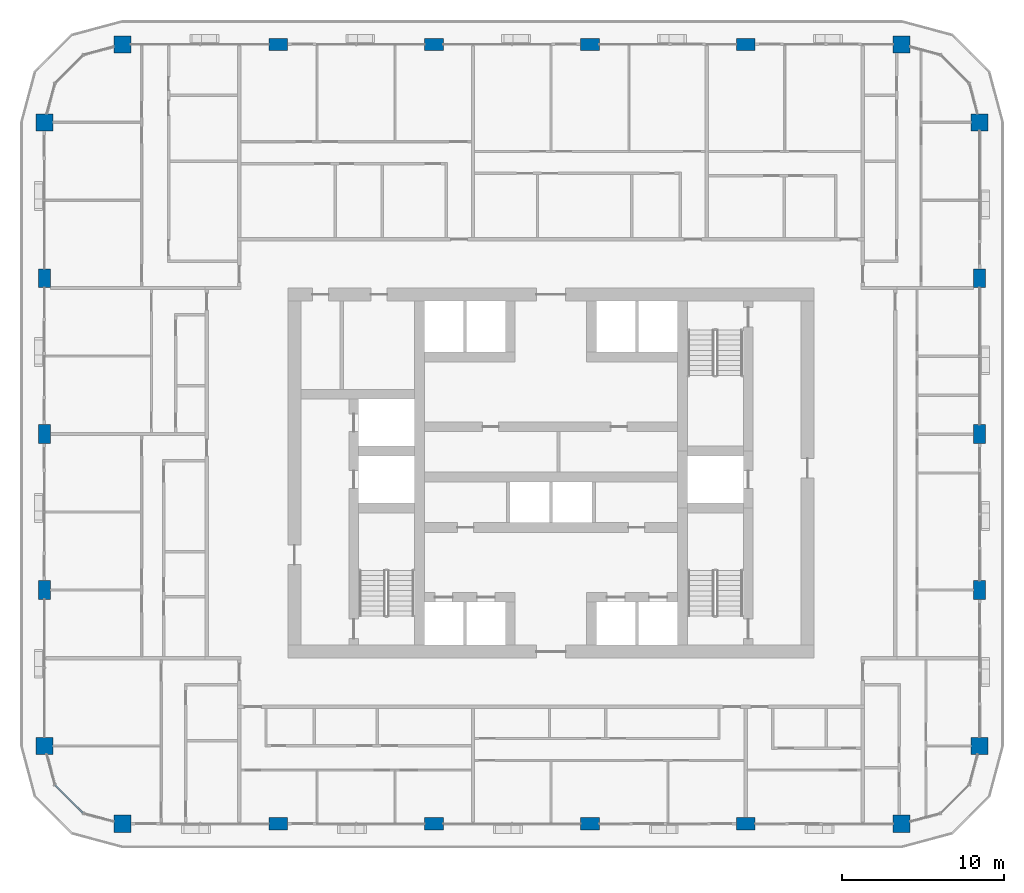
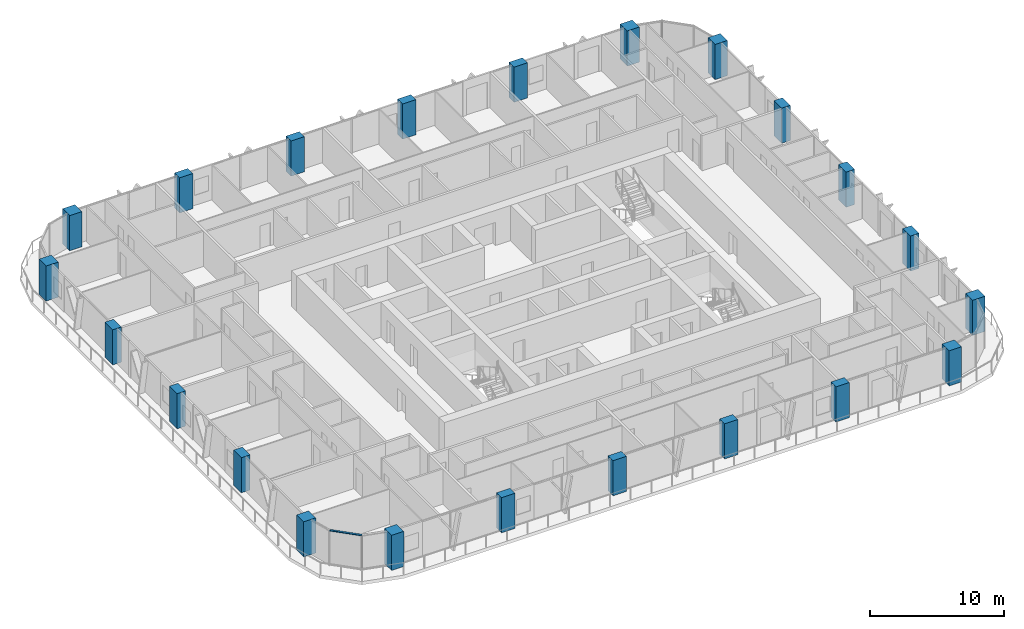
# One storey, part 1 of 22: 22 columns, 1 member, 1 element without a shape of its own.
"""IFC4 building model written with IfcOpenShell, lengths in metres."""

from ifc_helpers import new_model, si_unit, direction, frame, origin, origin_2d, place, context, subcontext, project, spatial, rectangle, extrude, material, layer, layer_set, material_profile, profile_set, type_object, element, aggregate, save


model = new_model("IFC4")

# Units and contexts
model_context = context("Model", 3, precision=1e-05, world=origin(), true_north=direction((0.0, 1.0)))
body_context = subcontext(model_context, "Body", "Model", "MODEL_VIEW")
ifc_project = project(units=[si_unit("LENGTHUNIT", "METRE"), si_unit("AREAUNIT", "SQUARE_METRE"), si_unit("VOLUMEUNIT", "CUBIC_METRE"), si_unit("PLANEANGLEUNIT", "RADIAN"), si_unit("MASSUNIT", "GRAM", prefix="KILO")], contexts=[model_context])

# Site, building, storey
site_placement = place(None, origin())
site = spatial("IfcSite", under=ifc_project, at=site_placement, CompositionType="ELEMENT")
building_placement = place(site_placement, origin())
building = spatial("IfcBuilding", under=site, at=building_placement, Name="Madar Terraces", CompositionType="ELEMENT")
storey_placement = place(building_placement, frame((0.0, 0.0, 119.10009765625)))
storey = spatial("IfcBuildingStorey", under=building, at=storey_placement, Name="L30", CompositionType="ELEMENT", Elevation=119.10009765625)

# Columns
ifc_material_1 = material(Name="Concrete C70/85", Category="concrete")
ifc_material_profile_1 = material_profile(ifc_material_1, rectangle(XDim=1.14990234375, YDim=0.75, at=origin_2d()), Name="CC3 RC 1150x750")
ifc_profile_set_1 = profile_set([ifc_material_profile_1], Name="Concrete C70/85")
column_type_1 = type_object("IfcColumnType", Name="CC3 RC 1150x750", PredefinedType="COLUMN", material=ifc_profile_set_1)
for number, where, z_axis, x_axis, name in (
    (1, (14.39990234375, 4.800048828125, 0.0), (0.0, 0.0, 1.0), (1.0, 0.0, 0.0), "Perimeter column S2"),
    (2, (24.0, 4.800048828125, 0.0), (0.0, 0.0, 1.0), (1.0, 0.0, 0.0), "Perimeter column S3"),
    (3, (33.60009765625, 4.800048828125, 0.0), (0.0, 0.0, 1.0), (1.0, 0.0, 0.0), "Perimeter column S4"),
    (4, (43.199951171875, 4.800048828125, 0.0), (0.0, 0.0, 1.0), (1.0, 0.0, 0.0), "Perimeter column S5"),
    (5, (57.60009765625, 19.199951171875, 0.0), (0.0, 0.0, 1.0), (0.0, 1.0, 0.0), "Perimeter column E2"),
    (6, (57.60009765625, 28.800048828125, 0.0), (0.0, 0.0, 1.0), (0.0, 1.0, 0.0), "Perimeter column E3"),
    (7, (57.60009765625, 38.39990234375, 0.0), (0.0, 0.0, 1.0), (0.0, 1.0, 0.0), "Perimeter column E4"),
    (8, (43.199951171875, 52.800048828125, 0.0), (0.0, 0.0, 1.0), (1.0, 0.0, 0.0), "Perimeter column N2"),
    (9, (33.60009765625, 52.800048828125, 0.0), (0.0, 0.0, 1.0), (1.0, 0.0, 0.0), "Perimeter column N3"),
    (10, (24.0, 52.800048828125, 0.0), (0.0, 0.0, 1.0), (1.0, 0.0, 0.0), "Perimeter column N4"),
    (11, (14.39990234375, 52.800048828125, 0.0), (0.0, 0.0, 1.0), (1.0, 0.0, 0.0), "Perimeter column N5"),
    (12, (0.0, 38.39990234375, 0.0), (0.0, 0.0, 1.0), (0.0, 1.0, 0.0), "Perimeter column W2"),
    (13, (0.0, 28.800048828125, 0.0), (0.0, 0.0, 1.0), (0.0, 1.0, 0.0), "Perimeter column W3"),
    (14, (0.0, 19.199951171875, 0.0), (0.0, 0.0, 1.0), (0.0, 1.0, 0.0), "Perimeter column W4"),
):
    element("IfcColumn", number, at=place(storey_placement, frame(where, z_axis=z_axis, x_axis=x_axis)), inside=storey, type_object=column_type_1, Name=name, PredefinedType="COLUMN", context=body_context, shape_type="SweptSolid", body=[
        extrude(rectangle(XDim=1.14990234375, YDim=0.75, at=origin_2d()), origin(), (0.0, 0.0, 1.0), 3.199951171875),
    ])
ifc_material_2 = material(Name="Concrete C70/85", Category="concrete")
ifc_material_profile_2 = material_profile(ifc_material_2, rectangle(XDim=1.050048828125, YDim=1.050048828125, at=origin_2d()), Name="KC3 RC 1050x1050")
ifc_profile_set_2 = profile_set([ifc_material_profile_2], Name="Concrete C70/85")
column_type_2 = type_object("IfcColumnType", Name="KC3 RC 1050x1050", PredefinedType="COLUMN", material=ifc_profile_set_2)
for number, where, z_axis, x_axis, name in (
    (15, (4.800048828125, 4.800048828125, 0.0), (0.0, 0.0, 1.0), (1.0, 0.0, 0.0), "Perimeter column S1"),
    (16, (52.800048828125, 4.800048828125, 0.0), (0.0, 0.0, 1.0), (1.0, 0.0, 0.0), "Perimeter column S6"),
    (17, (57.60009765625, 9.60009765625, 0.0), (0.0, 0.0, 1.0), (1.0, 0.0, 0.0), "Perimeter column E1"),
    (18, (57.60009765625, 48.0, 0.0), (0.0, 0.0, 1.0), (1.0, 0.0, 0.0), "Perimeter column E5"),
    (19, (52.800048828125, 52.800048828125, 0.0), (0.0, 0.0, 1.0), (1.0, 0.0, 0.0), "Perimeter column N1"),
    (20, (4.800048828125, 52.800048828125, 0.0), (0.0, 0.0, 1.0), (1.0, 0.0, 0.0), "Perimeter column N6"),
    (21, (0.0, 48.0, 0.0), (0.0, 0.0, 1.0), (1.0, 0.0, 0.0), "Perimeter column W1"),
    (22, (0.0, 9.60009765625, 0.0), (0.0, 0.0, 1.0), (1.0, 0.0, 0.0), "Perimeter column W5"),
):
    element("IfcColumn", number, at=place(storey_placement, frame(where, z_axis=z_axis, x_axis=x_axis)), inside=storey, type_object=column_type_2, Name=name, PredefinedType="COLUMN", context=body_context, shape_type="SweptSolid", body=[
        extrude(rectangle(XDim=1.050048828125, YDim=1.050048828125, at=origin_2d()), origin(), (0.0, 0.0, 1.0), 3.199951171875),
    ])

# Curtain wall, member
ifc_material_3 = material(Name="Glass, ceramic frit dark grey, with black aluminium frame", Category="aluminium")
ifc_layer = layer(ifc_material_3, 0.199951171875)
ifc_layer_set = layer_set([ifc_layer], Name="Facade curtain wall, fritted glass")
curtain_wall_type = type_object("IfcCurtainWallType", Name="Facade curtain wall, fritted glass", PredefinedType="NOTDEFINED", material=ifc_layer_set)
curtain_wall_placement = place(storey_placement, origin())
curtain_wall = element("IfcCurtainWall", 23, at=curtain_wall_placement, inside=storey, type_object=curtain_wall_type, Name="Outer skin curtain wall south-west corner", PredefinedType="NOTDEFINED")
ifc_material_4 = material(Name="Aluminium, black anodised", Category="aluminium")
ifc_material_profile_3 = material_profile(ifc_material_4, rectangle(XDim=0.1201171875, YDim=0.06005859375, at=origin_2d()), Name="Facade transom 60x120")
ifc_profile_set_3 = profile_set([ifc_material_profile_3], Name="Aluminium, black anodised")
member_type = type_object("IfcMemberType", Name="Facade transom 60x120", PredefinedType="USERDEFINED", material=ifc_profile_set_3)
member_placement = place(storey_placement, frame((0.664306640625, 7.1787109375, 3.169921875), z_axis=(0.707157125196, -0.707056433593, 0.0), x_axis=(0.707056433593, 0.707157125196, 0.0)))
member = element("IfcMember", 24, at=member_placement, type_object=member_type, Name="Transom 2", ObjectType="TRANSOM", PredefinedType="USERDEFINED", context=body_context, shape_type="SweptSolid", body=[
    extrude(rectangle(XDim=0.1201171875, YDim=0.06005859375, at=origin_2d()), origin(), (0.0, 0.0, 1.0), 2.424560546875),
])
aggregate(curtain_wall, [member])

save(model, "model.ifc")
